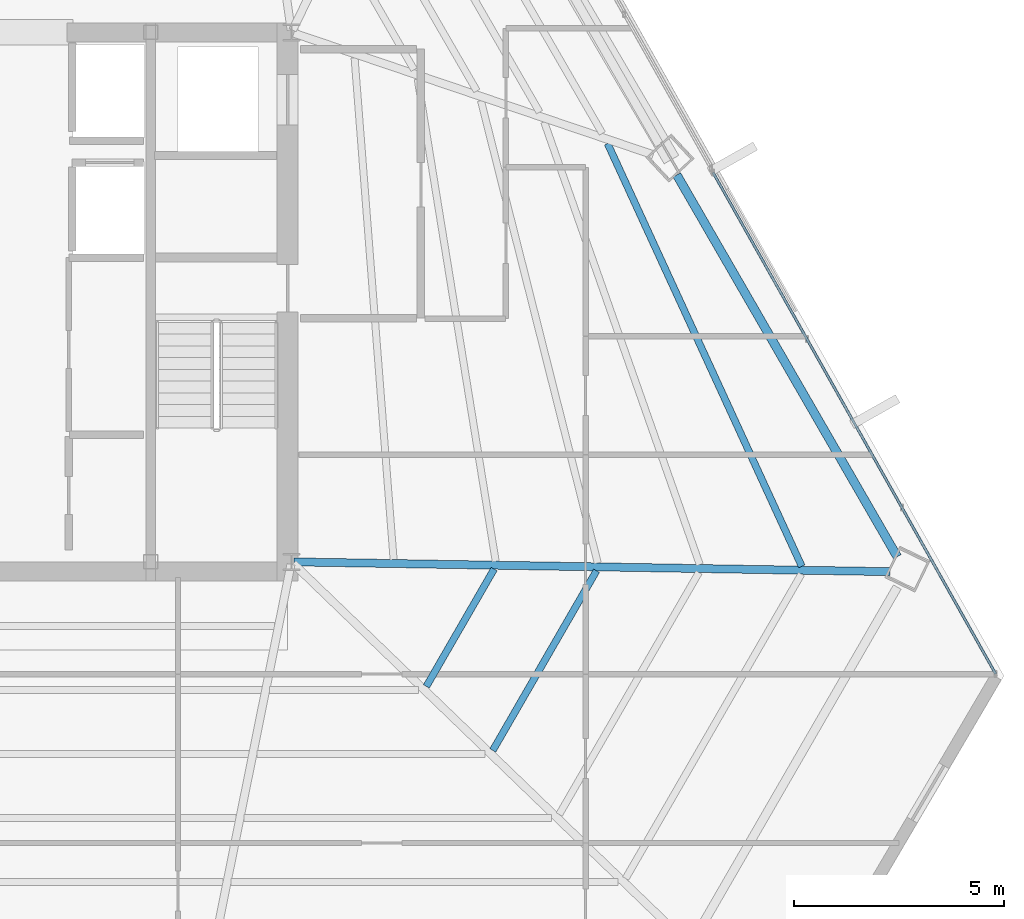
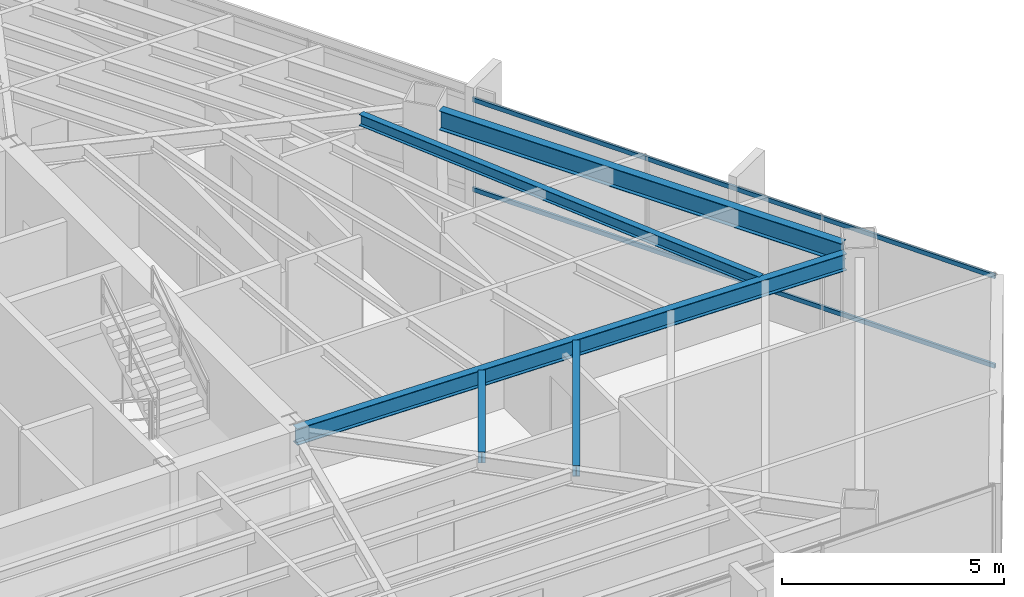
# One storey, part 21 of 44: 5 beams, 2 members, 1 element without a shape of its own.
"""IFC4 building model written with IfcOpenShell, lengths in metres."""

from ifc_helpers import new_model, si_unit, direction, frame, origin, origin_2d, place, context, subcontext, project, spatial, hollow_rectangle, i_section, extrude, source, transform, mapped, material, material_profile, profile_set, type_object, type_shapes, element, aggregate, save


model = new_model("IFC4")

# Units and contexts
model_context = context("Model", 3, precision=1e-05, world=origin(), true_north=direction((0.0, 1.0)))
body_context = subcontext(model_context, "Body", "Model", "MODEL_VIEW")
ifc_project = project(units=[si_unit("LENGTHUNIT", "METRE"), si_unit("AREAUNIT", "SQUARE_METRE"), si_unit("VOLUMEUNIT", "CUBIC_METRE"), si_unit("PLANEANGLEUNIT", "RADIAN"), si_unit("MASSUNIT", "GRAM", prefix="KILO")], contexts=[model_context])

# Site, building, storey
site_placement = place(None, origin())
site = spatial("IfcSite", under=ifc_project, at=site_placement, CompositionType="ELEMENT")
building_placement = place(site_placement, origin())
building = spatial("IfcBuilding", under=site, at=building_placement, Name="Caelisora Broadcast Tower", CompositionType="ELEMENT")
storey_placement = place(building_placement, frame((0.0, 0.0, 198.64990234375)))
storey = spatial("IfcBuildingStorey", under=building, at=storey_placement, Name="L52", CompositionType="ELEMENT", Elevation=198.64990234375)

# Beams
ifc_material_1 = material(Name="Steel Grade 350 (AS/NZS 3679.1)", Category="steel")
ifc_material_profile_1 = material_profile(ifc_material_1, i_section(OverallWidth=0.208984375, OverallDepth=0.532958984375, WebThickness=0.01025390625, FlangeThickness=0.015625, at=origin_2d()), Name="Steel Grade 350 (AS/NZS 3679.1)")
ifc_profile_set_1 = profile_set([ifc_material_profile_1], Name="Steel Grade 350 (AS/NZS 3679.1)")
beam_type_1 = type_object("IfcBeamType", Name="PG05", PredefinedType="BEAM", material=ifc_profile_set_1)
shared_shape_1 = source(origin(), body_context, "Body", "SweptSolid", [
    extrude(i_section(OverallWidth=0.208984375, OverallDepth=0.532958984375, WebThickness=0.01025390625, FlangeThickness=0.015625, at=origin_2d()), origin(), (0.0, 0.0, 1.0), 10.4912109375),
])
type_shapes(beam_type_1, [shared_shape_1])
beam_1_placement = place(storey_placement, frame((59.91552734375, 17.5205078125, 3.133544921875), z_axis=(-0.499998424538, 0.866026313376, 0.0), x_axis=(-0.866026313376, -0.499998424538, 0.0)))
element("IfcBeam", 1, at=beam_1_placement, inside=storey, type_object=beam_type_1, Name="L52 beam PG05", PredefinedType="BEAM", context=body_context, shape_type="MappedRepresentation", body=[
    mapped(shared_shape_1, transform((0.0, 0.0, 0.0), scale=1.0)),
])
ifc_material_profile_2 = material_profile(ifc_material_1, i_section(OverallWidth=0.19091796875, OverallDepth=0.46044921875, WebThickness=0.010009765625, FlangeThickness=0.01611328125, at=origin_2d()), Name="Steel Grade 350 (AS/NZS 3679.1)")
ifc_profile_set_2 = profile_set([ifc_material_profile_2], Name="Steel Grade 350 (AS/NZS 3679.1)")
beam_type_2 = type_object("IfcBeamType", Name="PG06", PredefinedType="BEAM", material=ifc_profile_set_2)
shared_shape_2 = source(origin(), body_context, "Body", "SweptSolid", [
    extrude(i_section(OverallWidth=0.19091796875, OverallDepth=0.46044921875, WebThickness=0.010009765625, FlangeThickness=0.01611328125, at=origin_2d()), origin(), (0.0, 0.0, 1.0), 14.189697265625),
])
type_shapes(beam_type_2, [shared_shape_2])
beam_2_placement = place(storey_placement, frame((45.56005859375, 17.39892578125, 3.169921875), z_axis=(0.99986584406, -0.016379678962, 0.0), x_axis=(0.016379678962, 0.99986584406, 0.0)))
element("IfcBeam", 2, at=beam_2_placement, inside=storey, type_object=beam_type_2, Name="L52 beam PG06", PredefinedType="BEAM", context=body_context, shape_type="MappedRepresentation", body=[
    mapped(shared_shape_2, transform((0.0, 0.0, 0.0), scale=1.0)),
])
ifc_material_profile_3 = material_profile(ifc_material_1, i_section(OverallWidth=0.166015625, OverallDepth=0.30712890625, WebThickness=0.006591796875, FlangeThickness=0.01171875, at=origin_2d()), Name="Steel Grade 350 (AS/NZS 3679.1)")
ifc_profile_set_3 = profile_set([ifc_material_profile_3], Name="Steel Grade 350 (AS/NZS 3679.1)")
beam_type_3 = type_object("IfcBeamType", Name="SB03", PredefinedType="JOIST", material=ifc_profile_set_3)
shared_shape_3 = source(origin(), body_context, "Body", "SweptSolid", [
    extrude(i_section(OverallWidth=0.166015625, OverallDepth=0.30712890625, WebThickness=0.006591796875, FlangeThickness=0.01171875, at=origin_2d()), origin(), (0.0, 0.0, 1.0), 11.072509765625),
])
beam_3_placement = place(storey_placement, frame((57.643310546875, 17.293701171875, 3.24658203125), z_axis=(-0.417396344844, 0.908724540942, 0.0), x_axis=(-0.908724540942, -0.417396344844, 0.0)))
element("IfcBeam", 3, at=beam_3_placement, inside=storey, type_object=beam_type_3, Name="L52 beam SB03", PredefinedType="JOIST", context=body_context, shape_type="MappedRepresentation", body=[
    mapped(shared_shape_3, transform((0.0, 0.0, 0.0), scale=1.0)),
])
shared_shape_4 = source(origin(), body_context, "Body", "SweptSolid", [
    extrude(i_section(OverallWidth=0.166015625, OverallDepth=0.30712890625, WebThickness=0.006591796875, FlangeThickness=0.01171875, at=origin_2d()), origin(), (0.0, 0.0, 1.0), 3.223876953125),
])
beam_4_placement = place(storey_placement, frame((48.70947265625, 14.43603515625, 3.24658203125), z_axis=(0.499967189098, 0.866044346339, 0.0), x_axis=(-0.866044346339, 0.499967189098, 0.0)))
element("IfcBeam", 4, at=beam_4_placement, inside=storey, type_object=beam_type_3, Name="L52 beam SB03", PredefinedType="JOIST", context=body_context, shape_type="MappedRepresentation", body=[
    mapped(shared_shape_4, transform((0.0, 0.0, 0.0), scale=1.0)),
])
shared_shape_5 = source(origin(), body_context, "Body", "SweptSolid", [
    extrude(i_section(OverallWidth=0.166015625, OverallDepth=0.30712890625, WebThickness=0.006591796875, FlangeThickness=0.01171875, at=origin_2d()), origin(), (0.0, 0.0, 1.0), 4.9365234375),
])
type_shapes(beam_type_3, [shared_shape_3, shared_shape_4, shared_shape_5])
beam_5_placement = place(storey_placement, frame((50.290283203125, 12.912841796875, 3.24658203125), z_axis=(0.500000720929, 0.866024987556, 0.0), x_axis=(-0.866024987556, 0.500000720929, 0.0)))
element("IfcBeam", 5, at=beam_5_placement, inside=storey, type_object=beam_type_3, Name="L52 beam SB03", PredefinedType="JOIST", context=body_context, shape_type="MappedRepresentation", body=[
    mapped(shared_shape_5, transform((0.0, 0.0, 0.0), scale=1.0)),
])

# Curtain wall, members
ifc_material_2 = material(Name="Unitised Aluminium and Low-E Glass Curtain Wall", Category="glass")
curtain_wall_type = type_object("IfcCurtainWallType", Name="CW-Z4", PredefinedType="NOTDEFINED", material=ifc_material_2)
curtain_wall_placement = place(storey_placement, origin())
curtain_wall = element("IfcCurtainWall", 6, at=curtain_wall_placement, inside=storey, type_object=curtain_wall_type, Name="L52 curtain wall CW-Z4", PredefinedType="NOTDEFINED")
ifc_material_3 = material(Name="Aluminium 6063-T6 Anodised Terracotta Bronze", Category="aluminium")
ifc_material_profile_4 = material_profile(ifc_material_3, hollow_rectangle(XDim=0.06005859375, YDim=0.1201171875, WallThickness=0.0029296875, at=origin_2d()), Name="Aluminium 6063-T6 Anodised Terracotta Bronze")
ifc_profile_set_4 = profile_set([ifc_material_profile_4], Name="Aluminium 6063-T6 Anodised Terracotta Bronze")
member_type = type_object("IfcMemberType", Name="CWT-03", PredefinedType="USERDEFINED", material=ifc_profile_set_4)
shared_shape_6 = source(origin(), body_context, "Body", "SweptSolid", [
    extrude(hollow_rectangle(XDim=0.06005859375, YDim=0.1201171875, WallThickness=0.0029296875, at=origin_2d()), origin(), (0.0, 0.0, 1.0), 13.6982421875),
])
type_shapes(member_type, [shared_shape_6])
member_1_placement = place(storey_placement, frame((55.531982421875, 26.665283203125, 0.85009765625), z_axis=(0.490978633864, -0.871171614029, 0.0), x_axis=(0.871171614029, 0.490978633864, 0.0)))
member_1 = element("IfcMember", 7, at=member_1_placement, type_object=member_type, Name="L52-CW-B03 transom #1", ObjectType="TRANSOM", PredefinedType="USERDEFINED", context=body_context, shape_type="MappedRepresentation", body=[
    mapped(shared_shape_6, transform((0.0, 0.0, 0.0), scale=1.0)),
])
member_2_placement = place(storey_placement, frame((55.531982421875, 26.665283203125, 3.320068359375), z_axis=(0.490978633864, -0.871171614029, 0.0), x_axis=(0.871171614029, 0.490978633864, 0.0)))
member_2 = element("IfcMember", 8, at=member_2_placement, type_object=member_type, Name="L52-CW-B03 transom #2", ObjectType="TRANSOM", PredefinedType="USERDEFINED", context=body_context, shape_type="MappedRepresentation", body=[
    mapped(shared_shape_6, transform((0.0, 0.0, 0.0), scale=1.0)),
])
aggregate(curtain_wall, [member_1, member_2])

save(model, "model.ifc")
